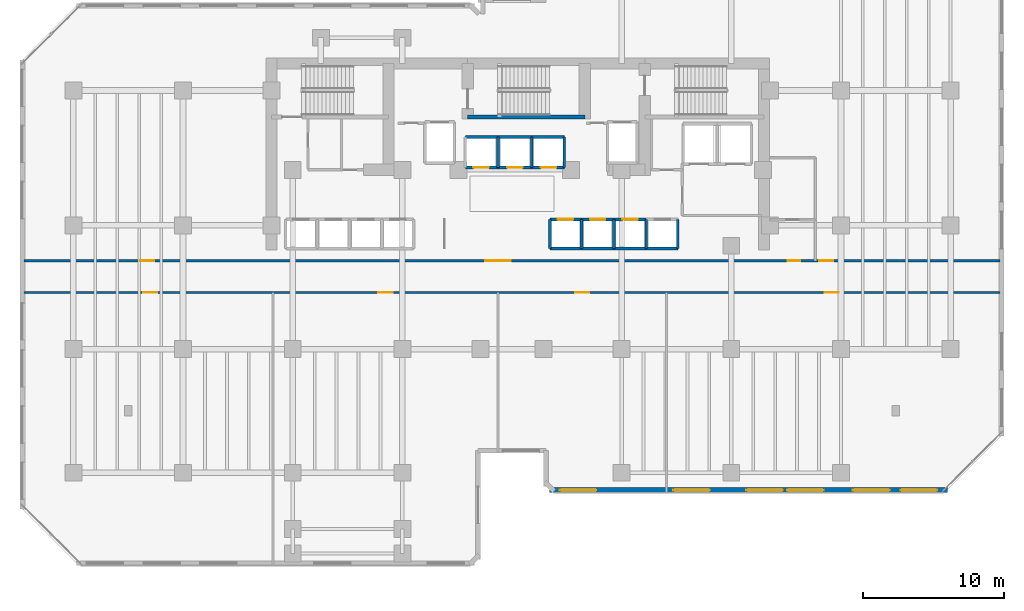
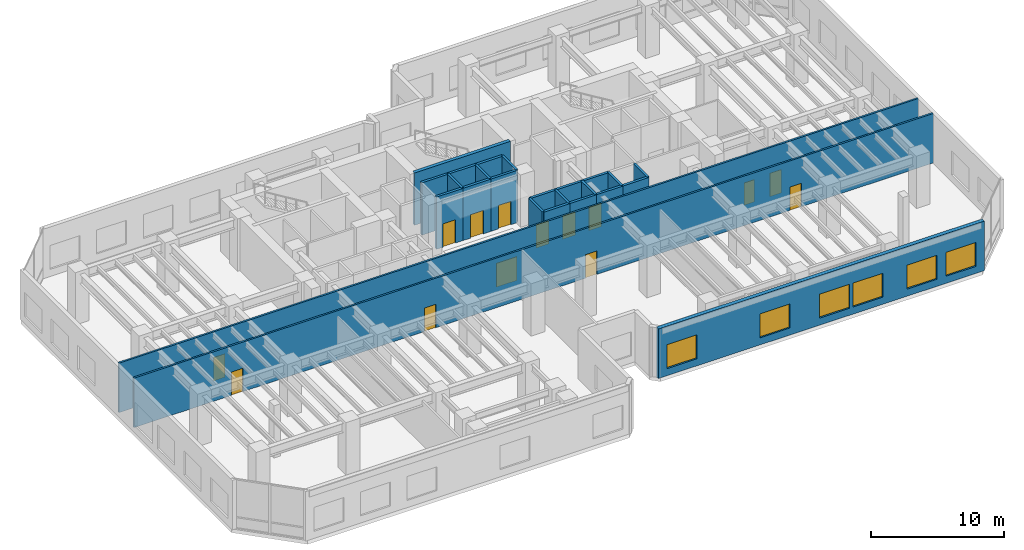
# One storey, part 11 of 17: 25 walls, 14 doors, 6 windows, 20 openings.
"""IFC4 building model written with IfcOpenShell, lengths in metres."""

from ifc_helpers import new_model, si_unit, direction, frame, frame_2d, origin, place, context, subcontext, project, spatial, rectangle, extrude, material, layer, layer_set, type_object, element, fill, save


model = new_model("IFC4")

# Units and contexts
model_context = context("Model", 3, precision=1e-05, world=origin(), true_north=direction((0.0, 1.0)))
body_context = subcontext(model_context, "Body", "Model", "MODEL_VIEW")
ifc_project = project(units=[si_unit("LENGTHUNIT", "METRE"), si_unit("AREAUNIT", "SQUARE_METRE"), si_unit("VOLUMEUNIT", "CUBIC_METRE"), si_unit("PLANEANGLEUNIT", "RADIAN"), si_unit("MASSUNIT", "GRAM", prefix="KILO")], contexts=[model_context])

# Site, building, storey
site_placement = place(None, origin())
site = spatial("IfcSite", under=ifc_project, at=site_placement, CompositionType="ELEMENT")
building_placement = place(site_placement, origin())
building = spatial("IfcBuilding", under=site, at=building_placement, Name="Kestravale Grand Hotel", CompositionType="ELEMENT")
storey_placement = place(building_placement, frame((0.0, 0.0, 129.800048828125)))
storey = spatial("IfcBuildingStorey", under=building, at=storey_placement, Name="L32", CompositionType="ELEMENT", Elevation=129.800048828125)

# Wall, openings, windows
ifc_material_1 = material(Name="Precast concrete f'c 45 MPa", Category="concrete")
ifc_layer_1 = layer(ifc_material_1, 0.340087890625)
ifc_layer_set_1 = layer_set([ifc_layer_1], Name="EW-PREC-340")
wall_type_1 = type_object("IfcWallType", Name="EW-PREC-340", PredefinedType="SOLIDWALL", material=ifc_layer_set_1)
wall_1_placement = place(storey_placement, frame((41.679931640625, 9.969970703125, 0.0), z_axis=(0.0, 0.0, 1.0), x_axis=(1.0, 0.0, 0.0)))
wall_1 = element("IfcWall", 1, at=wall_1_placement, inside=storey, type_object=wall_type_1, Name="L32 fluted precast facade wall 7", PredefinedType="SOLIDWALL", context=body_context, shape_type="SweptSolid", body=[
    extrude(rectangle(XDim=28.2900390625, YDim=0.340087890625, at=frame_2d((14.14501953125, 0.0))), origin(), (0.0, 0.0, 1.0), 4.550048828125),
])
opening_1_placement = place(wall_1_placement, frame((0.720703125, 0.0, 0.64990234375)))
opening_1 = element("IfcOpeningElement", 2, at=opening_1_placement, cuts=wall_1, Name="Opening W-SKY-2600", PredefinedType="OPENING", context=body_context, shape_type="SweptSolid", body=[
    extrude(rectangle(XDim=2.60009765625, YDim=2.199951171875, at=frame_2d((1.300048828125, 1.10009765625))), frame((0.0, 0.179931640625, 0.0), z_axis=(0.0, -1.0, 0.0), x_axis=(1.0, 0.0, 0.0)), (0.0, 0.0, 1.0), 0.360107421875),
])
opening_2_placement = place(wall_1_placement, frame((8.8037109375, 0.0, 0.64990234375)))
opening_2 = element("IfcOpeningElement", 3, at=opening_2_placement, cuts=wall_1, Name="Opening W-SKY-2600", PredefinedType="OPENING", context=body_context, shape_type="SweptSolid", body=[
    extrude(rectangle(XDim=2.60009765625, YDim=2.199951171875, at=frame_2d((1.300048828125, 1.10009765625))), frame((0.0, 0.179931640625, 0.0), z_axis=(0.0, -1.0, 0.0), x_axis=(1.0, 0.0, 0.0)), (0.0, 0.0, 1.0), 0.360107421875),
])
opening_3_placement = place(wall_1_placement, frame((13.9951171875, 0.0, 0.64990234375)))
opening_3 = element("IfcOpeningElement", 4, at=opening_3_placement, cuts=wall_1, Name="Opening W-SKY-2600", PredefinedType="OPENING", context=body_context, shape_type="SweptSolid", body=[
    extrude(rectangle(XDim=2.60009765625, YDim=2.199951171875, at=frame_2d((1.300048828125, 1.10009765625))), frame((0.0, 0.179931640625, 0.0), z_axis=(0.0, -1.0, 0.0), x_axis=(1.0, 0.0, 0.0)), (0.0, 0.0, 1.0), 0.360107421875),
])
opening_4_placement = place(wall_1_placement, frame((16.886474609375, 0.0, 0.64990234375)))
opening_4 = element("IfcOpeningElement", 5, at=opening_4_placement, cuts=wall_1, Name="Opening W-SKY-2600", PredefinedType="OPENING", context=body_context, shape_type="SweptSolid", body=[
    extrude(rectangle(XDim=2.60009765625, YDim=2.199951171875, at=frame_2d((1.300048828125, 1.10009765625))), frame((0.0, 0.179931640625, 0.0), z_axis=(0.0, -1.0, 0.0), x_axis=(1.0, 0.0, 0.0)), (0.0, 0.0, 1.0), 0.360107421875),
])
opening_5_placement = place(wall_1_placement, frame((21.577880859375, 0.0, 0.64990234375)))
opening_5 = element("IfcOpeningElement", 6, at=opening_5_placement, cuts=wall_1, Name="Opening W-SKY-2600", PredefinedType="OPENING", context=body_context, shape_type="SweptSolid", body=[
    extrude(rectangle(XDim=2.60009765625, YDim=2.199951171875, at=frame_2d((1.300048828125, 1.10009765625))), frame((0.0, 0.179931640625, 0.0), z_axis=(0.0, -1.0, 0.0), x_axis=(1.0, 0.0, 0.0)), (0.0, 0.0, 1.0), 0.360107421875),
])
opening_6_placement = place(wall_1_placement, frame((24.96923828125, 0.0, 0.64990234375)))
opening_6 = element("IfcOpeningElement", 7, at=opening_6_placement, cuts=wall_1, Name="Opening W-SKY-2600", PredefinedType="OPENING", context=body_context, shape_type="SweptSolid", body=[
    extrude(rectangle(XDim=2.60009765625, YDim=2.199951171875, at=frame_2d((1.300048828125, 1.10009765625))), frame((0.0, 0.179931640625, 0.0), z_axis=(0.0, -1.0, 0.0), x_axis=(1.0, 0.0, 0.0)), (0.0, 0.0, 1.0), 0.360107421875),
])
ifc_material_2 = material(Name="Insulated low-E double glazing in aluminium frame", Category="aluminium")
window_type = type_object("IfcWindowType", Name="W-SKY-2600", PartitioningType="TRIPLE_PANEL_VERTICAL", PredefinedType="WINDOW", material=ifc_material_2)
window_1_placement = place(opening_1_placement, origin())
window_1 = element("IfcWindow", 8, at=window_1_placement, inside=storey, type_object=window_type, Name="L32 exterior window 7.1", OverallHeight=2.199951171875, OverallWidth=2.60009765625, PartitioningType="SINGLE_PANEL", PredefinedType="WINDOW", context=body_context, shape_type="SweptSolid", body=[
    extrude(rectangle(XDim=2.60009765625, YDim=2.199951171875, at=frame_2d((1.300048828125, 1.10009765625))), frame((0.0, 0.030029296875, 0.0), z_axis=(0.0, -1.0, 0.0), x_axis=(1.0, 0.0, 0.0)), (0.0, 0.0, 1.0), 0.06005859375),
])
fill(opening_1, window_1)
window_2_placement = place(opening_2_placement, origin())
window_2 = element("IfcWindow", 9, at=window_2_placement, inside=storey, type_object=window_type, Name="L32 exterior window 7.2", OverallHeight=2.199951171875, OverallWidth=2.60009765625, PartitioningType="SINGLE_PANEL", PredefinedType="WINDOW", context=body_context, shape_type="SweptSolid", body=[
    extrude(rectangle(XDim=2.60009765625, YDim=2.199951171875, at=frame_2d((1.300048828125, 1.10009765625))), frame((0.0, 0.030029296875, 0.0), z_axis=(0.0, -1.0, 0.0), x_axis=(1.0, 0.0, 0.0)), (0.0, 0.0, 1.0), 0.06005859375),
])
fill(opening_2, window_2)
window_3_placement = place(opening_3_placement, origin())
window_3 = element("IfcWindow", 10, at=window_3_placement, inside=storey, type_object=window_type, Name="L32 exterior window 7.3", OverallHeight=2.199951171875, OverallWidth=2.60009765625, PartitioningType="SINGLE_PANEL", PredefinedType="WINDOW", context=body_context, shape_type="SweptSolid", body=[
    extrude(rectangle(XDim=2.60009765625, YDim=2.199951171875, at=frame_2d((1.300048828125, 1.10009765625))), frame((0.0, 0.030029296875, 0.0), z_axis=(0.0, -1.0, 0.0), x_axis=(1.0, 0.0, 0.0)), (0.0, 0.0, 1.0), 0.06005859375),
])
fill(opening_3, window_3)
window_4_placement = place(opening_4_placement, origin())
window_4 = element("IfcWindow", 11, at=window_4_placement, inside=storey, type_object=window_type, Name="L32 exterior window 7.4", OverallHeight=2.199951171875, OverallWidth=2.60009765625, PartitioningType="SINGLE_PANEL", PredefinedType="WINDOW", context=body_context, shape_type="SweptSolid", body=[
    extrude(rectangle(XDim=2.60009765625, YDim=2.199951171875, at=frame_2d((1.300048828125, 1.10009765625))), frame((0.0, 0.030029296875, 0.0), z_axis=(0.0, -1.0, 0.0), x_axis=(1.0, 0.0, 0.0)), (0.0, 0.0, 1.0), 0.06005859375),
])
fill(opening_4, window_4)
window_5_placement = place(opening_5_placement, origin())
window_5 = element("IfcWindow", 12, at=window_5_placement, inside=storey, type_object=window_type, Name="L32 exterior window 7.5", OverallHeight=2.199951171875, OverallWidth=2.60009765625, PartitioningType="SINGLE_PANEL", PredefinedType="WINDOW", context=body_context, shape_type="SweptSolid", body=[
    extrude(rectangle(XDim=2.60009765625, YDim=2.199951171875, at=frame_2d((1.300048828125, 1.10009765625))), frame((0.0, 0.030029296875, 0.0), z_axis=(0.0, -1.0, 0.0), x_axis=(1.0, 0.0, 0.0)), (0.0, 0.0, 1.0), 0.06005859375),
])
fill(opening_5, window_5)
window_6_placement = place(opening_6_placement, origin())
window_6 = element("IfcWindow", 13, at=window_6_placement, inside=storey, type_object=window_type, Name="L32 exterior window 7.6", OverallHeight=2.199951171875, OverallWidth=2.60009765625, PartitioningType="SINGLE_PANEL", PredefinedType="WINDOW", context=body_context, shape_type="SweptSolid", body=[
    extrude(rectangle(XDim=2.60009765625, YDim=2.199951171875, at=frame_2d((1.300048828125, 1.10009765625))), frame((0.0, 0.030029296875, 0.0), z_axis=(0.0, -1.0, 0.0), x_axis=(1.0, 0.0, 0.0)), (0.0, 0.0, 1.0), 0.06005859375),
])
fill(opening_6, window_6)

# Wall
ifc_material_3 = material(Name="Concrete f'c 45 MPa", Category="concrete")
ifc_layer_2 = layer(ifc_material_3, 0.300048828125)
ifc_layer_set_2 = layer_set([ifc_layer_2], Name="EW-STAIR-300")
wall_type_2 = type_object("IfcWallType", Name="EW-STAIR-300", PredefinedType="SHEAR", material=ifc_layer_set_2)
wall_2_placement = place(storey_placement, frame((35.85009765625, 36.52001953125, 0.0), z_axis=(0.0, 0.0, 1.0), x_axis=(1.0, 0.0, 0.0)))
element("IfcWall", 14, at=wall_2_placement, inside=storey, type_object=wall_type_2, Name="L32 stair enclosure shear wall SST2", PredefinedType="SHEAR", context=body_context, shape_type="SweptSolid", body=[
    extrude(rectangle(XDim=8.329833984375, YDim=0.300048828125, at=frame_2d((4.1650390625, 0.0))), origin(), (0.0, 0.0, 1.0), 4.800048828125),
])

# Wall, openings, doors
ifc_material_4 = material(Name="Acoustic fire-rated gypsum board partition", Category="other")
ifc_layer_3 = layer(ifc_material_4, 0.159912109375)
ifc_layer_set_3 = layer_set([ifc_layer_3], Name="IW-CORR-160")
wall_type_3 = type_object("IfcWallType", Name="IW-CORR-160", PredefinedType="PARTITIONING", material=ifc_layer_set_3)
wall_3_placement = place(storey_placement, frame((4.300048828125, 24.02001953125, 0.0), z_axis=(0.0, 0.0, 1.0), x_axis=(1.0, 0.0, 0.0)))
wall_3 = element("IfcWall", 15, at=wall_3_placement, inside=storey, type_object=wall_type_3, Name="W-L32-SC-S", PredefinedType="PARTITIONING", context=body_context, shape_type="SweptSolid", body=[
    extrude(rectangle(XDim=69.39990234375, YDim=0.159912109375, at=frame_2d((34.699951171875, 0.0))), origin(), (0.0, 0.0, 1.0), 4.550048828125),
])
opening_7_placement = place(wall_3_placement, frame((8.449951171875, 0.0, 0.0)))
opening_7 = element("IfcOpeningElement", 16, at=opening_7_placement, cuts=wall_3, Name="Opening D-GUEST-1000", PredefinedType="OPENING", context=body_context, shape_type="SweptSolid", body=[
    extrude(rectangle(XDim=1.0, YDim=2.14990234375, at=frame_2d((0.5, 1.074951171875))), frame((0.0, 0.08984375, 0.0), z_axis=(0.0, -1.0, 0.0), x_axis=(1.0, 0.0, 0.0)), (0.0, 0.0, 1.0), 0.179931640625),
])
opening_8_placement = place(wall_3_placement, frame((25.199951171875, 0.0, 0.0)))
opening_8 = element("IfcOpeningElement", 17, at=opening_8_placement, cuts=wall_3, Name="Opening D-GUEST-1000", PredefinedType="OPENING", context=body_context, shape_type="SweptSolid", body=[
    extrude(rectangle(XDim=1.0, YDim=2.14990234375, at=frame_2d((0.5, 1.074951171875))), frame((0.0, 0.08984375, 0.0), z_axis=(0.0, -1.0, 0.0), x_axis=(1.0, 0.0, 0.0)), (0.0, 0.0, 1.0), 0.179931640625),
])
opening_9_placement = place(wall_3_placement, frame((39.199951171875, 0.0, 0.0)))
opening_9 = element("IfcOpeningElement", 18, at=opening_9_placement, cuts=wall_3, Name="Opening D-GUEST-1000", PredefinedType="OPENING", context=body_context, shape_type="SweptSolid", body=[
    extrude(rectangle(XDim=1.0, YDim=2.14990234375, at=frame_2d((0.5, 1.074951171875))), frame((0.0, 0.08984375, 0.0), z_axis=(0.0, -1.0, 0.0), x_axis=(1.0, 0.0, 0.0)), (0.0, 0.0, 1.0), 0.179931640625),
])
opening_10_placement = place(wall_3_placement, frame((56.949951171875, 0.0, 0.0)))
opening_10 = element("IfcOpeningElement", 19, at=opening_10_placement, cuts=wall_3, Name="Opening D-GUEST-1000", PredefinedType="OPENING", context=body_context, shape_type="SweptSolid", body=[
    extrude(rectangle(XDim=1.0, YDim=2.14990234375, at=frame_2d((0.5, 1.074951171875))), frame((0.0, 0.08984375, 0.0), z_axis=(0.0, -1.0, 0.0), x_axis=(1.0, 0.0, 0.0)), (0.0, 0.0, 1.0), 0.179931640625),
])
ifc_material_5 = material(Name="Accessible walnut veneer hotel entrance fire door", Category="wood")
door_type_1 = type_object("IfcDoorType", Name="D-GUEST-1000", OperationType="NOTDEFINED", PredefinedType="DOOR", material=ifc_material_5)
door_1_placement = place(opening_7_placement, origin())
door_1 = element("IfcDoor", 20, at=door_1_placement, inside=storey, type_object=door_type_1, Name="D-L32-SKYLOB", OperationType="SINGLE_SWING_RIGHT", OverallHeight=2.14990234375, OverallWidth=1.0, PredefinedType="DOOR", context=body_context, shape_type="SweptSolid", body=[
    extrude(rectangle(XDim=1.0, YDim=2.14990234375, at=frame_2d((0.5, 1.074951171875))), frame((0.0, 0.02490234375, 0.0), z_axis=(0.0, -1.0, 0.0), x_axis=(1.0, 0.0, 0.0)), (0.0, 0.0, 1.0), 0.050048828125),
])
fill(opening_7, door_1)
door_2_placement = place(opening_8_placement, origin())
door_2 = element("IfcDoor", 21, at=door_2_placement, inside=storey, type_object=door_type_1, Name="D-L32-SKYBAR", OperationType="SINGLE_SWING_LEFT", OverallHeight=2.14990234375, OverallWidth=1.0, PredefinedType="DOOR", context=body_context, shape_type="SweptSolid", body=[
    extrude(rectangle(XDim=1.0, YDim=2.14990234375, at=frame_2d((0.5, 1.074951171875))), frame((0.0, 0.02490234375, 0.0), z_axis=(0.0, -1.0, 0.0), x_axis=(1.0, 0.0, 0.0)), (0.0, 0.0, 1.0), 0.050048828125),
])
fill(opening_8, door_2)
door_3_placement = place(opening_9_placement, origin())
door_3 = element("IfcDoor", 22, at=door_3_placement, inside=storey, type_object=door_type_1, Name="D-L32-SKYMEET", OperationType="SINGLE_SWING_RIGHT", OverallHeight=2.14990234375, OverallWidth=1.0, PredefinedType="DOOR", context=body_context, shape_type="SweptSolid", body=[
    extrude(rectangle(XDim=1.0, YDim=2.14990234375, at=frame_2d((0.5, 1.074951171875))), frame((0.0, 0.02490234375, 0.0), z_axis=(0.0, -1.0, 0.0), x_axis=(1.0, 0.0, 0.0)), (0.0, 0.0, 1.0), 0.050048828125),
])
fill(opening_9, door_3)
door_4_placement = place(opening_10_placement, origin())
door_4 = element("IfcDoor", 23, at=door_4_placement, inside=storey, type_object=door_type_1, Name="D-L32-LOUNGE", OperationType="SINGLE_SWING_LEFT", OverallHeight=2.14990234375, OverallWidth=1.0, PredefinedType="DOOR", context=body_context, shape_type="SweptSolid", body=[
    extrude(rectangle(XDim=1.0, YDim=2.14990234375, at=frame_2d((0.5, 1.074951171875))), frame((0.0, 0.02490234375, 0.0), z_axis=(0.0, -1.0, 0.0), x_axis=(1.0, 0.0, 0.0)), (0.0, 0.0, 1.0), 0.050048828125),
])
fill(opening_10, door_4)

wall_4_placement = place(storey_placement, frame((4.300048828125, 26.280029296875, 0.0), z_axis=(0.0, 0.0, 1.0), x_axis=(1.0, 0.0, 0.0)))
wall_4 = element("IfcWall", 24, at=wall_4_placement, inside=storey, type_object=wall_type_3, Name="W-L32-SC-N", PredefinedType="PARTITIONING", context=body_context, shape_type="SweptSolid", body=[
    extrude(rectangle(XDim=69.39990234375, YDim=0.159912109375, at=frame_2d((34.699951171875, 0.0))), origin(), (0.0, 0.0, 1.0), 4.550048828125),
])
opening_11_placement = place(wall_4_placement, frame((32.800048828125, 0.0, 0.0)))
opening_11 = element("IfcOpeningElement", 25, at=opening_11_placement, cuts=wall_4, Name="Opening D-CORR-1800", PredefinedType="OPENING", context=body_context, shape_type="SweptSolid", body=[
    extrude(rectangle(XDim=1.800048828125, YDim=2.199951171875, at=frame_2d((0.89990234375, 1.10009765625))), frame((0.0, 0.08984375, 0.0), z_axis=(0.0, -1.0, 0.0), x_axis=(1.0, 0.0, 0.0)), (0.0, 0.0, 1.0), 0.179931640625),
])
opening_12_placement = place(wall_4_placement, frame((8.25, 0.0, 0.0)))
opening_12 = element("IfcOpeningElement", 26, at=opening_12_placement, cuts=wall_4, Name="Opening D-GUEST-1000", PredefinedType="OPENING", context=body_context, shape_type="SweptSolid", body=[
    extrude(rectangle(XDim=1.0, YDim=2.14990234375, at=frame_2d((0.5, 1.074951171875))), frame((0.0, 0.08984375, 0.0), z_axis=(0.0, -1.0, 0.0), x_axis=(1.0, 0.0, 0.0)), (0.0, 0.0, 1.0), 0.179931640625),
])
opening_13_placement = place(wall_4_placement, frame((54.31005859375, 0.0, 0.0)))
opening_13 = element("IfcOpeningElement", 27, at=opening_13_placement, cuts=wall_4, Name="Opening D-BATH-880", PredefinedType="OPENING", context=body_context, shape_type="SweptSolid", body=[
    extrude(rectangle(XDim=0.8798828125, YDim=2.050048828125, at=frame_2d((0.43994140625, 1.02490234375))), frame((0.0, 0.08984375, 0.0), z_axis=(0.0, -1.0, 0.0), x_axis=(1.0, 0.0, 0.0)), (0.0, 0.0, 1.0), 0.179931640625),
])
opening_14_placement = place(wall_4_placement, frame((56.550048828125, 0.0, 0.0)))
opening_14 = element("IfcOpeningElement", 28, at=opening_14_placement, cuts=wall_4, Name="Opening D-GUEST-1000", PredefinedType="OPENING", context=body_context, shape_type="SweptSolid", body=[
    extrude(rectangle(XDim=1.0, YDim=2.14990234375, at=frame_2d((0.5, 1.074951171875))), frame((0.0, 0.08984375, 0.0), z_axis=(0.0, -1.0, 0.0), x_axis=(1.0, 0.0, 0.0)), (0.0, 0.0, 1.0), 0.179931640625),
])
ifc_material_6 = material(Name="Moisture-sealed walnut en-suite bathroom door", Category="wood")
door_type_2 = type_object("IfcDoorType", Name="D-BATH-880", OperationType="NOTDEFINED", PredefinedType="DOOR", material=ifc_material_6)
door_5_placement = place(opening_13_placement, origin())
door_5 = element("IfcDoor", 29, at=door_5_placement, inside=storey, type_object=door_type_2, Name="D-L32-WCA", OperationType="SINGLE_SWING_LEFT", OverallHeight=2.050048828125, OverallWidth=0.8798828125, PredefinedType="DOOR", context=body_context, shape_type="SweptSolid", body=[
    extrude(rectangle(XDim=0.8798828125, YDim=2.050048828125, at=frame_2d((0.43994140625, 1.02490234375))), frame((0.0, 0.02490234375, 0.0), z_axis=(0.0, -1.0, 0.0), x_axis=(1.0, 0.0, 0.0)), (0.0, 0.0, 1.0), 0.050048828125),
])
fill(opening_13, door_5)
ifc_material_7 = material(Name="Double-leaf glazed bronze acoustic corridor fire door", Category="aluminium")
door_type_3 = type_object("IfcDoorType", Name="D-CORR-1800", OperationType="NOTDEFINED", PredefinedType="DOOR", material=ifc_material_7)
door_6_placement = place(opening_11_placement, origin())
door_6 = element("IfcDoor", 30, at=door_6_placement, inside=storey, type_object=door_type_3, Name="D-L32-LCONN", OperationType="DOUBLE_DOOR_SINGLE_SWING", OverallHeight=2.199951171875, OverallWidth=1.800048828125, PredefinedType="DOOR", context=body_context, shape_type="SweptSolid", body=[
    extrude(rectangle(XDim=1.800048828125, YDim=2.199951171875, at=frame_2d((0.89990234375, 1.10009765625))), frame((0.0, 0.02490234375, 0.0), z_axis=(0.0, -1.0, 0.0), x_axis=(1.0, 0.0, 0.0)), (0.0, 0.0, 1.0), 0.050048828125),
])
fill(opening_11, door_6)
door_7_placement = place(opening_12_placement, origin())
door_7 = element("IfcDoor", 31, at=door_7_placement, inside=storey, type_object=door_type_1, Name="D-L32-NW", OperationType="SINGLE_SWING_RIGHT", OverallHeight=2.14990234375, OverallWidth=1.0, PredefinedType="DOOR", context=body_context, shape_type="SweptSolid", body=[
    extrude(rectangle(XDim=1.0, YDim=2.14990234375, at=frame_2d((0.5, 1.074951171875))), frame((0.0, 0.02490234375, 0.0), z_axis=(0.0, -1.0, 0.0), x_axis=(1.0, 0.0, 0.0)), (0.0, 0.0, 1.0), 0.050048828125),
])
fill(opening_12, door_7)
door_8_placement = place(opening_14_placement, origin())
door_8 = element("IfcDoor", 32, at=door_8_placement, inside=storey, type_object=door_type_1, Name="L32 NE Gallery Door", OperationType="SINGLE_SWING_LEFT", OverallHeight=2.14990234375, OverallWidth=1.0, PredefinedType="DOOR", context=body_context, shape_type="SweptSolid", body=[
    extrude(rectangle(XDim=1.0, YDim=2.14990234375, at=frame_2d((0.5, 1.074951171875))), frame((0.0, 0.02490234375, 0.0), z_axis=(0.0, -1.0, 0.0), x_axis=(1.0, 0.0, 0.0)), (0.0, 0.0, 1.0), 0.050048828125),
])
fill(opening_14, door_8)

# Walls
ifc_material_8 = material(Name="Concrete f'c 45 MPa", Category="concrete")
ifc_layer_4 = layer(ifc_material_8, 0.199951171875)
ifc_layer_set_4 = layer_set([ifc_layer_4], Name="IW-SHAFT-200")
wall_type_4 = type_object("IfcWallType", Name="IW-SHAFT-200", PredefinedType="SHEAR", material=ifc_layer_set_4)
for number, where, z_axis, x_axis, name in (
    (33, (41.705078125, 27.169921875, 0.0), (0.0, 0.0, 1.0), (0.0, 1.0, 0.0), "L32 PL-M1 west shaft wall"),
    (34, (43.949951171875, 27.169921875, 0.0), (0.0, 0.0, 1.0), (0.0, 1.0, 0.0), "L32 PL-M2 west shaft wall"),
    (35, (46.25, 27.169921875, 0.0), (0.0, 0.0, 1.0), (0.0, 1.0, 0.0), "L32 PL-M3 west shaft wall"),
    (36, (48.550048828125, 27.169921875, 0.0), (0.0, 0.0, 1.0), (0.0, 1.0, 0.0), "L32 PL-M4 west shaft wall"),
    (37, (50.794921875, 27.169921875, 0.0), (0.0, 0.0, 1.0), (0.0, 1.0, 0.0), "L32 PL-M4 east shaft wall"),
):
    element("IfcWall", number, at=place(storey_placement, frame(where, z_axis=z_axis, x_axis=x_axis)), inside=storey, type_object=wall_type_4, Name=name, PredefinedType="SHEAR", context=body_context, shape_type="SweptSolid", body=[
        extrude(rectangle(XDim=2.06005859375, YDim=0.199951171875, at=frame_2d((1.030029296875, 0.0))), origin(), (0.0, 0.0, 1.0), 4.800048828125),
    ])
for number, where, z_axis, x_axis, name in (
    (38, (38.0, 32.919921875, 0.0), (0.0, 0.0, 1.0), (0.0, 1.0, 0.0), "L32 PL-X2 west shaft wall"),
    (39, (40.39990234375, 32.919921875, 0.0), (0.0, 0.0, 1.0), (0.0, 1.0, 0.0), "L32 PL-X3 west shaft wall"),
    (40, (42.719970703125, 32.919921875, 0.0), (0.0, 0.0, 1.0), (0.0, 1.0, 0.0), "L32 PL-X3 east shaft wall"),
):
    element("IfcWall", number, at=place(storey_placement, frame(where, z_axis=z_axis, x_axis=x_axis)), inside=storey, type_object=wall_type_4, Name=name, PredefinedType="SHEAR", context=body_context, shape_type="SweptSolid", body=[
        extrude(rectangle(XDim=2.16015625, YDim=0.199951171875, at=frame_2d((1.080078125, 0.0))), origin(), (0.0, 0.0, 1.0), 4.800048828125),
    ])

# Wall, opening, door
ifc_material_9 = material(Name="Concrete f'c 45 MPa", Category="concrete")
ifc_layer_5 = layer(ifc_material_9, 0.219970703125)
ifc_layer_set_5 = layer_set([ifc_layer_5], Name="IW-SHAFT-220")
wall_type_5 = type_object("IfcWallType", Name="IW-SHAFT-220", PredefinedType="SHEAR", material=ifc_layer_set_5)
wall_5_placement = place(storey_placement, frame((41.705078125, 29.22998046875, 0.0), z_axis=(0.0, 0.0, 1.0), x_axis=(1.0, 0.0, 0.0)))
wall_5 = element("IfcWall", 41, at=wall_5_placement, inside=storey, type_object=wall_type_5, Name="L32 PL-M1 north shaft wall", PredefinedType="SHEAR", context=body_context, shape_type="SweptSolid", body=[
    extrude(rectangle(XDim=2.244873046875, YDim=0.219970703125, at=frame_2d((1.12255859375, 0.0))), origin(), (0.0, 0.0, 1.0), 4.800048828125),
])
opening_15_placement = place(wall_5_placement, frame((0.544921875, 0.0, 0.0)))
opening_15 = element("IfcOpeningElement", 42, at=opening_15_placement, cuts=wall_5, Name="Opening LD-PAX-1100", PredefinedType="OPENING", context=body_context, shape_type="SweptSolid", body=[
    extrude(rectangle(XDim=1.10009765625, YDim=2.14990234375, at=frame_2d((0.550048828125, 1.074951171875))), frame((0.0, 0.119873046875, 0.0), z_axis=(0.0, -1.0, 0.0), x_axis=(1.0, 0.0, 0.0)), (0.0, 0.0, 1.0), 0.239990234375),
])
ifc_material_10 = material(Name="Champagne-bronze center-opening sliding elevator landing door", Category="steel")
door_type_4 = type_object("IfcDoorType", Name="LD-PAX-1100", OperationType="NOTDEFINED", PredefinedType="DOOR", material=ifc_material_10)
door_9_placement = place(opening_15_placement, origin())
door_9 = element("IfcDoor", 43, at=door_9_placement, inside=storey, type_object=door_type_4, Name="L32 PL-M1 elevator landing sliding door", OperationType="DOUBLE_DOOR_SLIDING", OverallHeight=2.14990234375, OverallWidth=1.10009765625, PredefinedType="DOOR", context=body_context, shape_type="SweptSolid", body=[
    extrude(rectangle(XDim=1.10009765625, YDim=2.14990234375, at=frame_2d((0.550048828125, 1.074951171875))), frame((0.0, 0.02490234375, 0.0), z_axis=(0.0, -1.0, 0.0), x_axis=(1.0, 0.0, 0.0)), (0.0, 0.0, 1.0), 0.050048828125),
])
fill(opening_15, door_9)

# Wall
wall_6_placement = place(storey_placement, frame((41.705078125, 27.169921875, 0.0), z_axis=(0.0, 0.0, 1.0), x_axis=(1.0, 0.0, 0.0)))
element("IfcWall", 44, at=wall_6_placement, inside=storey, type_object=wall_type_5, Name="L32 PL-M1 south shaft wall", PredefinedType="SHEAR", context=body_context, shape_type="SweptSolid", body=[
    extrude(rectangle(XDim=2.244873046875, YDim=0.219970703125, at=frame_2d((1.12255859375, 0.0))), origin(), (0.0, 0.0, 1.0), 4.800048828125),
])

# Wall, opening, door
wall_7_placement = place(storey_placement, frame((43.949951171875, 29.22998046875, 0.0), z_axis=(0.0, 0.0, 1.0), x_axis=(1.0, 0.0, 0.0)))
wall_7 = element("IfcWall", 45, at=wall_7_placement, inside=storey, type_object=wall_type_5, Name="L32 PL-M2 north shaft wall", PredefinedType="SHEAR", context=body_context, shape_type="SweptSolid", body=[
    extrude(rectangle(XDim=2.300048828125, YDim=0.219970703125, at=frame_2d((1.14990234375, 0.0))), origin(), (0.0, 0.0, 1.0), 4.800048828125),
])
opening_16_placement = place(wall_7_placement, frame((0.60009765625, 0.0, 0.0)))
opening_16 = element("IfcOpeningElement", 46, at=opening_16_placement, cuts=wall_7, Name="Opening LD-PAX-1100", PredefinedType="OPENING", context=body_context, shape_type="SweptSolid", body=[
    extrude(rectangle(XDim=1.10009765625, YDim=2.14990234375, at=frame_2d((0.550048828125, 1.074951171875))), frame((0.0, 0.119873046875, 0.0), z_axis=(0.0, -1.0, 0.0), x_axis=(1.0, 0.0, 0.0)), (0.0, 0.0, 1.0), 0.239990234375),
])
door_10_placement = place(opening_16_placement, origin())
door_10 = element("IfcDoor", 47, at=door_10_placement, inside=storey, type_object=door_type_4, Name="L32 PL-M2 elevator landing sliding door", OperationType="DOUBLE_DOOR_SLIDING", OverallHeight=2.14990234375, OverallWidth=1.10009765625, PredefinedType="DOOR", context=body_context, shape_type="SweptSolid", body=[
    extrude(rectangle(XDim=1.10009765625, YDim=2.14990234375, at=frame_2d((0.550048828125, 1.074951171875))), frame((0.0, 0.02490234375, 0.0), z_axis=(0.0, -1.0, 0.0), x_axis=(1.0, 0.0, 0.0)), (0.0, 0.0, 1.0), 0.050048828125),
])
fill(opening_16, door_10)

# Wall
wall_8_placement = place(storey_placement, frame((43.949951171875, 27.169921875, 0.0), z_axis=(0.0, 0.0, 1.0), x_axis=(1.0, 0.0, 0.0)))
element("IfcWall", 48, at=wall_8_placement, inside=storey, type_object=wall_type_5, Name="L32 PL-M2 south shaft wall", PredefinedType="SHEAR", context=body_context, shape_type="SweptSolid", body=[
    extrude(rectangle(XDim=2.300048828125, YDim=0.219970703125, at=frame_2d((1.14990234375, 0.0))), origin(), (0.0, 0.0, 1.0), 4.800048828125),
])

# Wall, opening, door
wall_9_placement = place(storey_placement, frame((46.25, 29.22998046875, 0.0), z_axis=(0.0, 0.0, 1.0), x_axis=(1.0, 0.0, 0.0)))
wall_9 = element("IfcWall", 49, at=wall_9_placement, inside=storey, type_object=wall_type_5, Name="L32 PL-M3 north shaft wall", PredefinedType="SHEAR", context=body_context, shape_type="SweptSolid", body=[
    extrude(rectangle(XDim=2.300048828125, YDim=0.219970703125, at=frame_2d((1.14990234375, 0.0))), origin(), (0.0, 0.0, 1.0), 4.800048828125),
])
opening_17_placement = place(wall_9_placement, frame((0.60009765625, 0.0, 0.0)))
opening_17 = element("IfcOpeningElement", 50, at=opening_17_placement, cuts=wall_9, Name="Opening LD-PAX-1100", PredefinedType="OPENING", context=body_context, shape_type="SweptSolid", body=[
    extrude(rectangle(XDim=1.10009765625, YDim=2.14990234375, at=frame_2d((0.550048828125, 1.074951171875))), frame((0.0, 0.119873046875, 0.0), z_axis=(0.0, -1.0, 0.0), x_axis=(1.0, 0.0, 0.0)), (0.0, 0.0, 1.0), 0.239990234375),
])
door_11_placement = place(opening_17_placement, origin())
door_11 = element("IfcDoor", 51, at=door_11_placement, inside=storey, type_object=door_type_4, Name="L32 PL-M3 elevator landing sliding door", OperationType="DOUBLE_DOOR_SLIDING", OverallHeight=2.14990234375, OverallWidth=1.10009765625, PredefinedType="DOOR", context=body_context, shape_type="SweptSolid", body=[
    extrude(rectangle(XDim=1.10009765625, YDim=2.14990234375, at=frame_2d((0.550048828125, 1.074951171875))), frame((0.0, 0.02490234375, 0.0), z_axis=(0.0, -1.0, 0.0), x_axis=(1.0, 0.0, 0.0)), (0.0, 0.0, 1.0), 0.050048828125),
])
fill(opening_17, door_11)

# Walls
wall_10_placement = place(storey_placement, frame((46.25, 27.169921875, 0.0), z_axis=(0.0, 0.0, 1.0), x_axis=(1.0, 0.0, 0.0)))
element("IfcWall", 52, at=wall_10_placement, inside=storey, type_object=wall_type_5, Name="L32 PL-M3 south shaft wall", PredefinedType="SHEAR", context=body_context, shape_type="SweptSolid", body=[
    extrude(rectangle(XDim=2.300048828125, YDim=0.219970703125, at=frame_2d((1.14990234375, 0.0))), origin(), (0.0, 0.0, 1.0), 4.800048828125),
])
wall_11_placement = place(storey_placement, frame((48.550048828125, 27.169921875, 0.0), z_axis=(0.0, 0.0, 1.0), x_axis=(1.0, 0.0, 0.0)))
element("IfcWall", 53, at=wall_11_placement, inside=storey, type_object=wall_type_5, Name="L32 PL-M4 south shaft wall", PredefinedType="SHEAR", context=body_context, shape_type="SweptSolid", body=[
    extrude(rectangle(XDim=2.244873046875, YDim=0.219970703125, at=frame_2d((1.12255859375, 0.0))), origin(), (0.0, 0.0, 1.0), 4.800048828125),
])
wall_12_placement = place(storey_placement, frame((35.679931640625, 35.080078125, 0.0), z_axis=(0.0, 0.0, 1.0), x_axis=(1.0, 0.0, 0.0)))
element("IfcWall", 54, at=wall_12_placement, inside=storey, type_object=wall_type_5, Name="L32 PL-X1 north shaft wall", PredefinedType="SHEAR", context=body_context, shape_type="SweptSolid", body=[
    extrude(rectangle(XDim=2.320068359375, YDim=0.219970703125, at=frame_2d((1.16015625, 0.0))), origin(), (0.0, 0.0, 1.0), 4.800048828125),
])

# Wall, opening, door
wall_13_placement = place(storey_placement, frame((35.679931640625, 32.919921875, 0.0), z_axis=(0.0, 0.0, 1.0), x_axis=(1.0, 0.0, 0.0)))
wall_13 = element("IfcWall", 55, at=wall_13_placement, inside=storey, type_object=wall_type_5, Name="L32 PL-X1 south shaft wall", PredefinedType="SHEAR", context=body_context, shape_type="SweptSolid", body=[
    extrude(rectangle(XDim=2.320068359375, YDim=0.219970703125, at=frame_2d((1.16015625, 0.0))), origin(), (0.0, 0.0, 1.0), 4.800048828125),
])
opening_18_placement = place(wall_13_placement, frame((0.570068359375, 0.0, 0.0)))
opening_18 = element("IfcOpeningElement", 56, at=opening_18_placement, cuts=wall_13, Name="Opening LD-PAX-1100", PredefinedType="OPENING", context=body_context, shape_type="SweptSolid", body=[
    extrude(rectangle(XDim=1.10009765625, YDim=2.14990234375, at=frame_2d((0.550048828125, 1.074951171875))), frame((0.0, 0.119873046875, 0.0), z_axis=(0.0, -1.0, 0.0), x_axis=(1.0, 0.0, 0.0)), (0.0, 0.0, 1.0), 0.239990234375),
])
door_12_placement = place(opening_18_placement, origin())
door_12 = element("IfcDoor", 57, at=door_12_placement, inside=storey, type_object=door_type_4, Name="L32 PL-X1 elevator landing sliding door", OperationType="DOUBLE_DOOR_SLIDING", OverallHeight=2.14990234375, OverallWidth=1.10009765625, PredefinedType="DOOR", context=body_context, shape_type="SweptSolid", body=[
    extrude(rectangle(XDim=1.10009765625, YDim=2.14990234375, at=frame_2d((0.550048828125, 1.074951171875))), frame((0.0, 0.02490234375, 0.0), z_axis=(0.0, -1.0, 0.0), x_axis=(1.0, 0.0, 0.0)), (0.0, 0.0, 1.0), 0.050048828125),
])
fill(opening_18, door_12)

# Wall
wall_14_placement = place(storey_placement, frame((38.0, 35.080078125, 0.0), z_axis=(0.0, 0.0, 1.0), x_axis=(1.0, 0.0, 0.0)))
element("IfcWall", 58, at=wall_14_placement, inside=storey, type_object=wall_type_5, Name="L32 PL-X2 north shaft wall", PredefinedType="SHEAR", context=body_context, shape_type="SweptSolid", body=[
    extrude(rectangle(XDim=2.39990234375, YDim=0.219970703125, at=frame_2d((1.199951171875, 0.0))), origin(), (0.0, 0.0, 1.0), 4.800048828125),
])

# Wall, opening, door
wall_15_placement = place(storey_placement, frame((38.0, 32.919921875, 0.0), z_axis=(0.0, 0.0, 1.0), x_axis=(1.0, 0.0, 0.0)))
wall_15 = element("IfcWall", 59, at=wall_15_placement, inside=storey, type_object=wall_type_5, Name="L32 PL-X2 south shaft wall", PredefinedType="SHEAR", context=body_context, shape_type="SweptSolid", body=[
    extrude(rectangle(XDim=2.39990234375, YDim=0.219970703125, at=frame_2d((1.199951171875, 0.0))), origin(), (0.0, 0.0, 1.0), 4.800048828125),
])
opening_19_placement = place(wall_15_placement, frame((0.64990234375, 0.0, 0.0)))
opening_19 = element("IfcOpeningElement", 60, at=opening_19_placement, cuts=wall_15, Name="Opening LD-PAX-1100", PredefinedType="OPENING", context=body_context, shape_type="SweptSolid", body=[
    extrude(rectangle(XDim=1.10009765625, YDim=2.14990234375, at=frame_2d((0.550048828125, 1.074951171875))), frame((0.0, 0.119873046875, 0.0), z_axis=(0.0, -1.0, 0.0), x_axis=(1.0, 0.0, 0.0)), (0.0, 0.0, 1.0), 0.239990234375),
])
door_13_placement = place(opening_19_placement, origin())
door_13 = element("IfcDoor", 61, at=door_13_placement, inside=storey, type_object=door_type_4, Name="L32 PL-X2 elevator landing sliding door", OperationType="DOUBLE_DOOR_SLIDING", OverallHeight=2.14990234375, OverallWidth=1.10009765625, PredefinedType="DOOR", context=body_context, shape_type="SweptSolid", body=[
    extrude(rectangle(XDim=1.10009765625, YDim=2.14990234375, at=frame_2d((0.550048828125, 1.074951171875))), frame((0.0, 0.02490234375, 0.0), z_axis=(0.0, -1.0, 0.0), x_axis=(1.0, 0.0, 0.0)), (0.0, 0.0, 1.0), 0.050048828125),
])
fill(opening_19, door_13)

# Wall
wall_16_placement = place(storey_placement, frame((40.39990234375, 35.080078125, 0.0), z_axis=(0.0, 0.0, 1.0), x_axis=(1.0, 0.0, 0.0)))
element("IfcWall", 62, at=wall_16_placement, inside=storey, type_object=wall_type_5, Name="L32 PL-X3 north shaft wall", PredefinedType="SHEAR", context=body_context, shape_type="SweptSolid", body=[
    extrude(rectangle(XDim=2.320068359375, YDim=0.219970703125, at=frame_2d((1.16015625, 0.0))), origin(), (0.0, 0.0, 1.0), 4.800048828125),
])

# Wall, opening, door
wall_17_placement = place(storey_placement, frame((40.39990234375, 32.919921875, 0.0), z_axis=(0.0, 0.0, 1.0), x_axis=(1.0, 0.0, 0.0)))
wall_17 = element("IfcWall", 63, at=wall_17_placement, inside=storey, type_object=wall_type_5, Name="L32 PL-X3 south shaft wall", PredefinedType="SHEAR", context=body_context, shape_type="SweptSolid", body=[
    extrude(rectangle(XDim=2.320068359375, YDim=0.219970703125, at=frame_2d((1.16015625, 0.0))), origin(), (0.0, 0.0, 1.0), 4.800048828125),
])
opening_20_placement = place(wall_17_placement, frame((0.64990234375, 0.0, 0.0)))
opening_20 = element("IfcOpeningElement", 64, at=opening_20_placement, cuts=wall_17, Name="Opening LD-PAX-1100", PredefinedType="OPENING", context=body_context, shape_type="SweptSolid", body=[
    extrude(rectangle(XDim=1.10009765625, YDim=2.14990234375, at=frame_2d((0.550048828125, 1.074951171875))), frame((0.0, 0.119873046875, 0.0), z_axis=(0.0, -1.0, 0.0), x_axis=(1.0, 0.0, 0.0)), (0.0, 0.0, 1.0), 0.239990234375),
])
door_14_placement = place(opening_20_placement, origin())
door_14 = element("IfcDoor", 65, at=door_14_placement, inside=storey, type_object=door_type_4, Name="L32 PL-X3 elevator landing sliding door", OperationType="DOUBLE_DOOR_SLIDING", OverallHeight=2.14990234375, OverallWidth=1.10009765625, PredefinedType="DOOR", context=body_context, shape_type="SweptSolid", body=[
    extrude(rectangle(XDim=1.10009765625, YDim=2.14990234375, at=frame_2d((0.550048828125, 1.074951171875))), frame((0.0, 0.02490234375, 0.0), z_axis=(0.0, -1.0, 0.0), x_axis=(1.0, 0.0, 0.0)), (0.0, 0.0, 1.0), 0.050048828125),
])
fill(opening_20, door_14)

save(model, "model.ifc")
